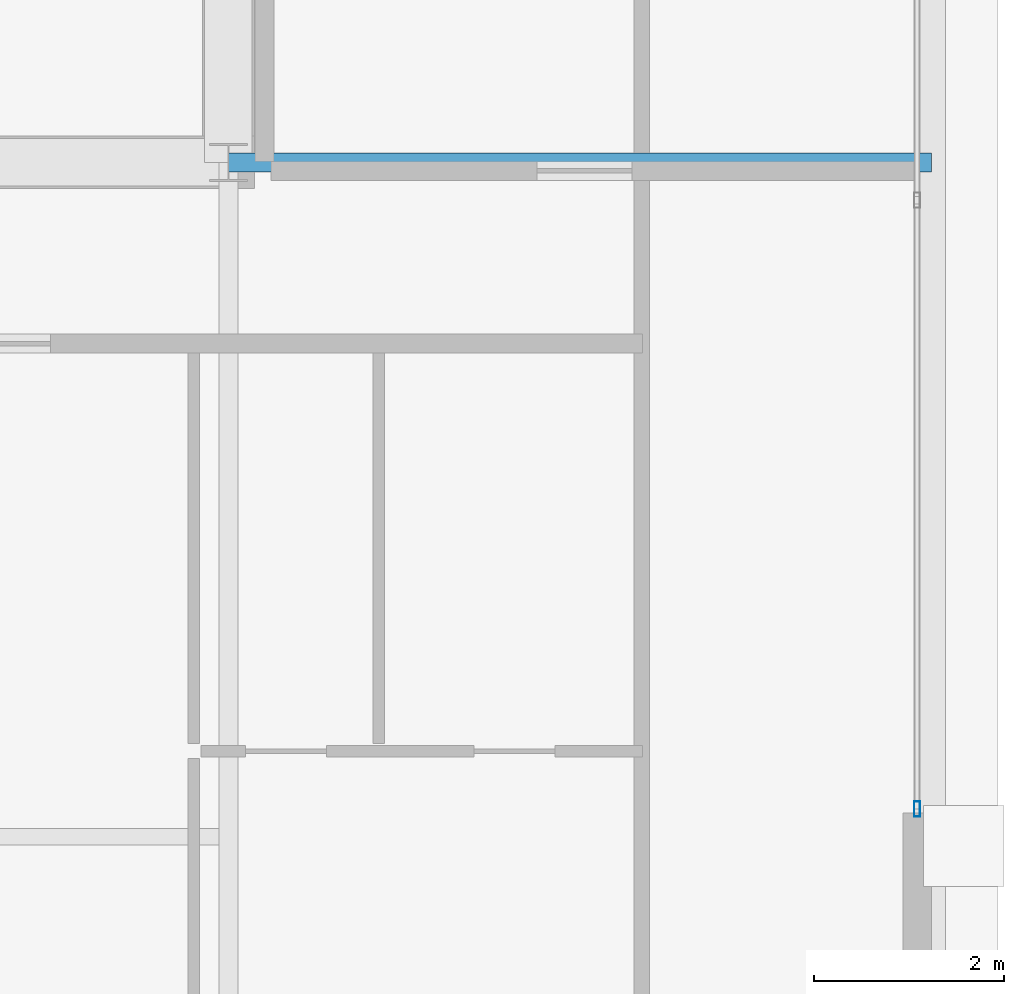
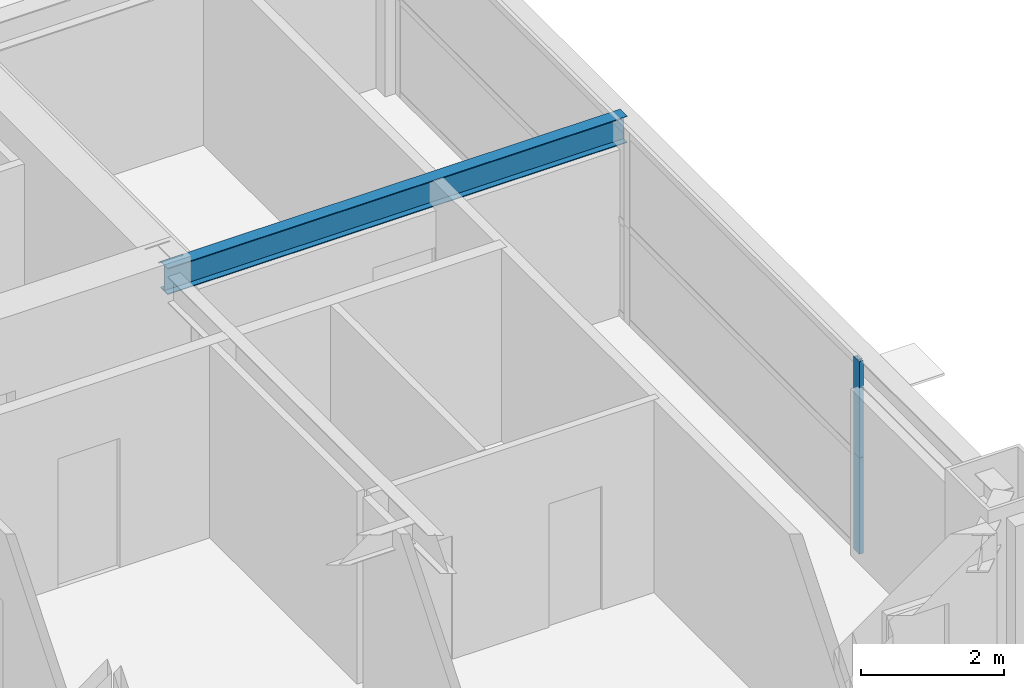
# One storey, part 17 of 36: 2 members, 1 beam, 1 element without a shape of its own.
"""IFC4 building model written with IfcOpenShell, lengths in metres."""

from ifc_helpers import new_model, si_unit, direction, frame, origin, origin_2d, place, context, subcontext, project, spatial, hollow_rectangle, i_section, extrude, source, transform, mapped, material, layer, layer_set, material_profile, profile_set, type_object, element, aggregate, save


model = new_model("IFC4")

# Units and contexts
model_context = context("Model", 3, precision=1e-05, world=origin(), true_north=direction((0.0, 1.0)))
body_context = subcontext(model_context, "Body", "Model", "MODEL_VIEW")
ifc_project = project(units=[si_unit("LENGTHUNIT", "METRE"), si_unit("AREAUNIT", "SQUARE_METRE"), si_unit("VOLUMEUNIT", "CUBIC_METRE"), si_unit("PLANEANGLEUNIT", "RADIAN"), si_unit("MASSUNIT", "GRAM", prefix="KILO"), si_unit("THERMODYNAMICTEMPERATUREUNIT", "KELVIN"), si_unit("POWERUNIT", "WATT")], contexts=[model_context])

# Site, building, storey
site_placement = place(None, origin())
site = spatial("IfcSite", under=ifc_project, at=site_placement, CompositionType="ELEMENT")
building_placement = place(site_placement, origin())
building = spatial("IfcBuilding", under=site, at=building_placement, Name="Yuzanri Waterfront Tower", CompositionType="ELEMENT")
storey_placement = place(building_placement, frame((0.0, 0.0, 231.10009765625)))
storey = spatial("IfcBuildingStorey", under=building, at=storey_placement, Name="L61", CompositionType="ELEMENT", Elevation=231.10009765625)

# Beam
ifc_material_1 = material(Name="Steel Q355B", Category="steel")
ifc_material_profile_1 = material_profile(ifc_material_1, i_section(OverallWidth=0.199951171875, OverallDepth=0.449951171875, WebThickness=0.009033203125, FlangeThickness=0.013916015625, at=origin_2d()), Name="HN 450x200x9x14")
ifc_profile_set_1 = profile_set([ifc_material_profile_1], Name="Steel Q355B")
beam_type = type_object("IfcBeamType", Name="Secondary Floor Beam Q355B HN 450x200", PredefinedType="BEAM", material=ifc_profile_set_1)
shared_shape_1 = source(origin(), body_context, "Body", "SweptSolid", [
    extrude(i_section(OverallWidth=0.199951171875, OverallDepth=0.449951171875, WebThickness=0.009033203125, FlangeThickness=0.013916015625, at=origin_2d()), origin(), (0.0, 0.0, 1.0), 7.400146484375),
])
beam_placement = place(storey_placement, frame((50.199951171875, 19.39990234375, 3.054931640625), z_axis=(1.0, 0.0, 0.0), x_axis=(0.0, 1.0, 0.0)))
element("IfcBeam", 1, at=beam_placement, inside=storey, type_object=beam_type, Name="L61 East-South Core Line Beam", PredefinedType="BEAM", context=body_context, shape_type="MappedRepresentation", body=[
    mapped(shared_shape_1, transform((0.0, 0.0, 0.0), scale=1.0)),
])

# Curtain wall, members
ifc_material_2 = material(Name="Anodized Architectural Bronze", Category="metal")
ifc_layer = layer(ifc_material_2, 0.159912109375)
ifc_layer_set = layer_set([ifc_layer], Name="Anodized Architectural Bronze")
curtain_wall_type = type_object("IfcCurtainWallType", Name="Anodized Bronze Mid-Rise Residential Acoustic Unitized Curtain Wall 7200", PredefinedType="NOTDEFINED", material=ifc_layer_set)
curtain_wall_placement = place(storey_placement, origin())
curtain_wall = element("IfcCurtainWall", 2, at=curtain_wall_placement, inside=storey, type_object=curtain_wall_type, Name="L61 Curtain Wall CW-L61-EL", PredefinedType="NOTDEFINED")
ifc_material_3 = material(Name="Anodized Architectural Bronze", Category="metal")
ifc_material_profile_2 = material_profile(ifc_material_3, hollow_rectangle(XDim=0.06494140625, YDim=0.159912109375, WallThickness=0.00341796875, at=origin_2d()), Name="CWM 65x160")
ifc_profile_set_2 = profile_set([ifc_material_profile_2], Name="Anodized Architectural Bronze")
member_type = type_object("IfcMemberType", Name="Anodized Bronze Upper-Zone Curtain-Wall Mullion 65x160", PredefinedType="MULLION", material=ifc_profile_set_2)
shared_shape_2 = source(origin(), body_context, "Body", "SweptSolid", [
    extrude(hollow_rectangle(XDim=0.06494140625, YDim=0.159912109375, WallThickness=0.00341796875, at=origin_2d()), origin(), (0.0, 0.0, 1.0), 1.637939453125),
])
member_1_placement = place(storey_placement, frame((57.449951171875, 12.590087890625, 0.0), z_axis=(0.0, 0.0, 1.0), x_axis=(1.0, 0.0, 0.0)))
member_1 = element("IfcMember", 3, at=member_1_placement, type_object=member_type, Name="CW-L61-EL Lower Mullion 00", PredefinedType="MULLION", context=body_context, shape_type="MappedRepresentation", body=[
    mapped(shared_shape_2, transform((0.0, 0.0, 0.0), scale=1.0)),
])
member_2_placement = place(storey_placement, frame((57.449951171875, 12.590087890625, 1.641845703125), z_axis=(0.0, 0.0, 1.0), x_axis=(1.0, 0.0, 0.0)))
member_2 = element("IfcMember", 4, at=member_2_placement, type_object=member_type, Name="CW-L61-EL Upper Mullion 00", PredefinedType="MULLION", context=body_context, shape_type="MappedRepresentation", body=[
    mapped(shared_shape_2, transform((0.0, 0.0, 0.0), scale=1.0)),
])
aggregate(curtain_wall, [member_1, member_2])

save(model, "model.ifc")
